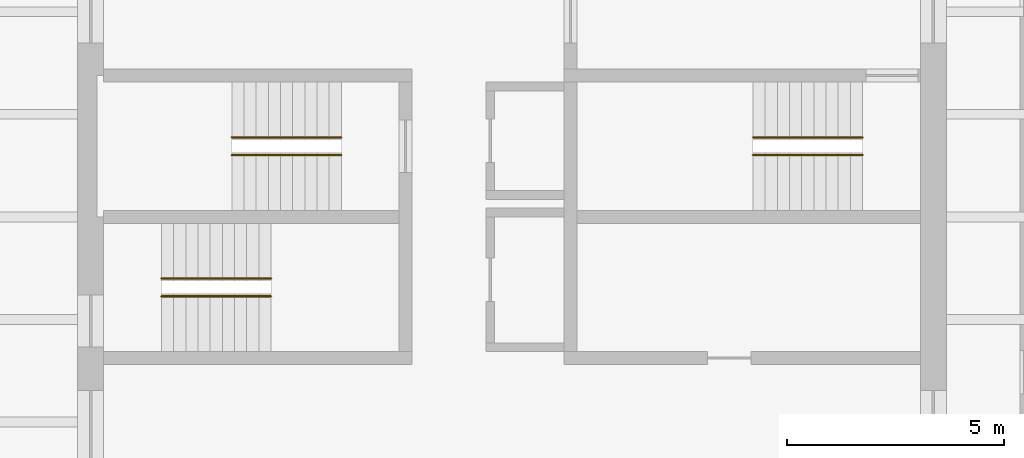
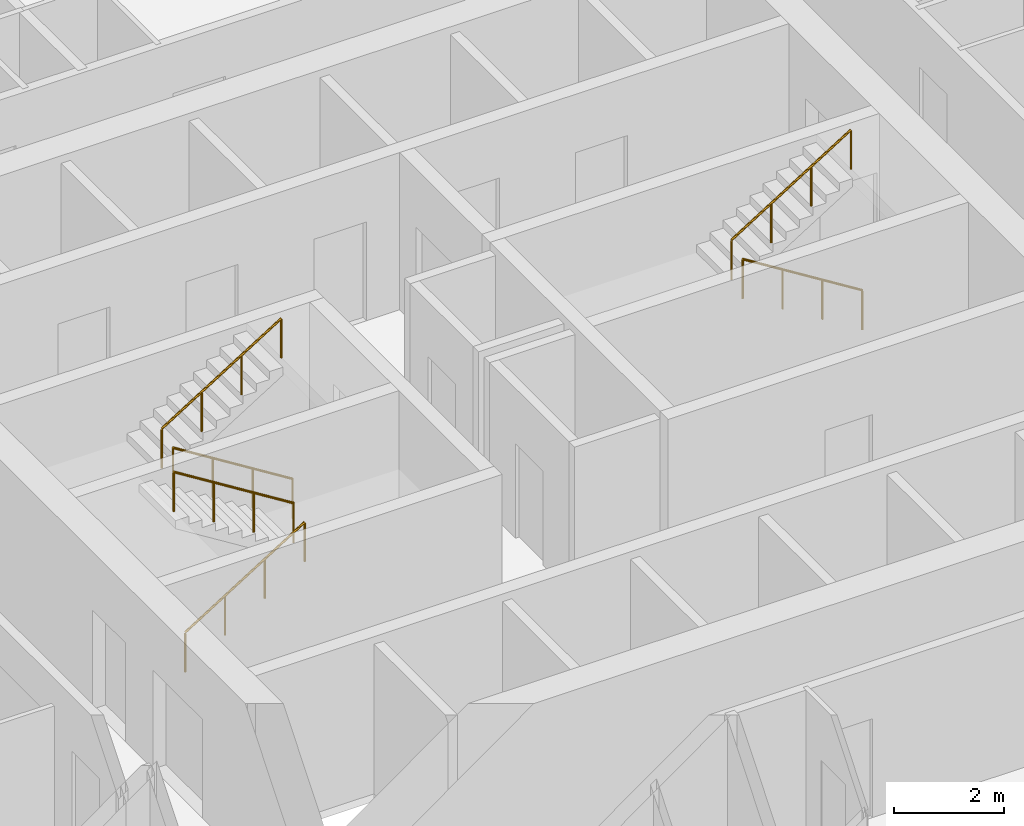
# One storey, part 9 of 9: 6 railings.
"""IFC4 building model written with IfcOpenShell, lengths in metres."""

from ifc_helpers import new_model, si_unit, direction, frame, origin, origin_2d, place, context, subcontext, project, spatial, circle, extrude, material, type_object, element, save


model = new_model("IFC4")

# Units and contexts
model_context = context("Model", 3, precision=1e-05, world=origin(), true_north=direction((0.0, 1.0)))
body_context = subcontext(model_context, "Body", "Model", "MODEL_VIEW")
ifc_project = project(units=[si_unit("LENGTHUNIT", "METRE"), si_unit("AREAUNIT", "SQUARE_METRE"), si_unit("VOLUMEUNIT", "CUBIC_METRE"), si_unit("PLANEANGLEUNIT", "RADIAN"), si_unit("MASSUNIT", "GRAM", prefix="KILO")], contexts=[model_context])

# Site, building, storey
site_placement = place(None, origin())
site = spatial("IfcSite", under=ifc_project, at=site_placement, CompositionType="ELEMENT")
building_placement = place(site_placement, origin())
building = spatial("IfcBuilding", under=site, at=building_placement, Name="Turquesa Mirador Hotel Tower", CompositionType="ELEMENT")
storey_placement = place(building_placement, frame((0.0, 0.0, 81.0)))
storey = spatial("IfcBuildingStorey", under=building, at=storey_placement, Name="L21", CompositionType="ELEMENT", Elevation=81.0)

# Railings
ifc_material = material(Name="Painted steel handrail", Category="steel")
railing_type = type_object("IfcRailingType", Name="HANDRAIL 900 STEEL", PredefinedType="HANDRAIL", material=ifc_material)
railing_1_placement = place(storey_placement, frame((51.070068359375, 46.419921875, 0.175048828125)))
element("IfcRailing", 1, at=railing_1_placement, inside=storey, type_object=railing_type, Name="Handrail ST1", PredefinedType="HANDRAIL", context=body_context, shape_type="SweptSolid", body=[
    extrude(circle(Radius=0.02392578125, at=origin_2d()), frame((0.0, 0.0, 0.8759765625), z_axis=(-0.848007534815, 0.0, 0.529984170421), x_axis=(0.0, -1.0, 0.0)), (0.0, 0.0, 1.0), 2.9716796875),
    extrude(circle(Radius=0.02099609375, at=origin_2d()), origin(), (0.0, 0.0, 1.0), 0.851806640625),
    extrude(circle(Radius=0.02099609375, at=origin_2d()), frame((-0.840087890625, 0.0, 0.52490234375)), (0.0, 0.0, 1.0), 0.851806640625),
    extrude(circle(Radius=0.02099609375, at=origin_2d()), frame((-1.679931640625, 0.0, 1.050048828125)), (0.0, 0.0, 1.0), 0.851806640625),
    extrude(circle(Radius=0.02099609375, at=origin_2d()), frame((-2.52001953125, 0.0, 1.574951171875)), (0.0, 0.0, 1.0), 0.851806640625),
])
for number, where, name in (
    (2, (48.550048828125, 46.830078125, 1.925048828125), "Handrail ST1"),
    (3, (46.929931640625, 43.169921875, 0.175048828125), "Handrail ST2"),
):
    element("IfcRailing", number, at=place(storey_placement, frame(where)), inside=storey, type_object=railing_type, Name=name, PredefinedType="HANDRAIL", context=body_context, shape_type="SweptSolid", body=[
        extrude(circle(Radius=0.02392578125, at=origin_2d()), frame((0.0, 0.0, 0.8759765625), z_axis=(0.848007534815, 0.0, 0.529984170421), x_axis=(0.0, 1.0, 0.0)), (0.0, 0.0, 1.0), 2.9716796875),
        extrude(circle(Radius=0.02099609375, at=origin_2d()), origin(), (0.0, 0.0, 1.0), 0.851806640625),
        extrude(circle(Radius=0.02099609375, at=origin_2d()), frame((0.840087890625, 0.0, 0.52490234375)), (0.0, 0.0, 1.0), 0.851806640625),
        extrude(circle(Radius=0.02099609375, at=origin_2d()), frame((1.679931640625, 0.0, 1.050048828125)), (0.0, 0.0, 1.0), 0.851806640625),
        extrude(circle(Radius=0.02099609375, at=origin_2d()), frame((2.52001953125, 0.0, 1.574951171875)), (0.0, 0.0, 1.0), 0.851806640625),
    ])
for number, where, name in (
    (4, (49.449951171875, 43.580078125, 1.925048828125), "Handrail ST2"),
    (5, (63.070068359375, 46.419921875, 0.175048828125), "Handrail ST3"),
):
    element("IfcRailing", number, at=place(storey_placement, frame(where)), inside=storey, type_object=railing_type, Name=name, PredefinedType="HANDRAIL", context=body_context, shape_type="SweptSolid", body=[
        extrude(circle(Radius=0.02392578125, at=origin_2d()), frame((0.0, 0.0, 0.8759765625), z_axis=(-0.848007534815, 0.0, 0.529984170421), x_axis=(0.0, -1.0, 0.0)), (0.0, 0.0, 1.0), 2.9716796875),
        extrude(circle(Radius=0.02099609375, at=origin_2d()), origin(), (0.0, 0.0, 1.0), 0.851806640625),
        extrude(circle(Radius=0.02099609375, at=origin_2d()), frame((-0.840087890625, 0.0, 0.52490234375)), (0.0, 0.0, 1.0), 0.851806640625),
        extrude(circle(Radius=0.02099609375, at=origin_2d()), frame((-1.679931640625, 0.0, 1.050048828125)), (0.0, 0.0, 1.0), 0.851806640625),
        extrude(circle(Radius=0.02099609375, at=origin_2d()), frame((-2.52001953125, 0.0, 1.574951171875)), (0.0, 0.0, 1.0), 0.851806640625),
    ])
railing_2_placement = place(storey_placement, frame((60.550048828125, 46.830078125, 1.925048828125)))
element("IfcRailing", 6, at=railing_2_placement, inside=storey, type_object=railing_type, Name="Handrail ST3", PredefinedType="HANDRAIL", context=body_context, shape_type="SweptSolid", body=[
    extrude(circle(Radius=0.02392578125, at=origin_2d()), frame((0.0, 0.0, 0.8759765625), z_axis=(0.848007534815, 0.0, 0.529984170421), x_axis=(0.0, 1.0, 0.0)), (0.0, 0.0, 1.0), 2.9716796875),
    extrude(circle(Radius=0.02099609375, at=origin_2d()), origin(), (0.0, 0.0, 1.0), 0.851806640625),
    extrude(circle(Radius=0.02099609375, at=origin_2d()), frame((0.840087890625, 0.0, 0.52490234375)), (0.0, 0.0, 1.0), 0.851806640625),
    extrude(circle(Radius=0.02099609375, at=origin_2d()), frame((1.679931640625, 0.0, 1.050048828125)), (0.0, 0.0, 1.0), 0.851806640625),
    extrude(circle(Radius=0.02099609375, at=origin_2d()), frame((2.52001953125, 0.0, 1.574951171875)), (0.0, 0.0, 1.0), 0.851806640625),
])

save(model, "model.ifc")
